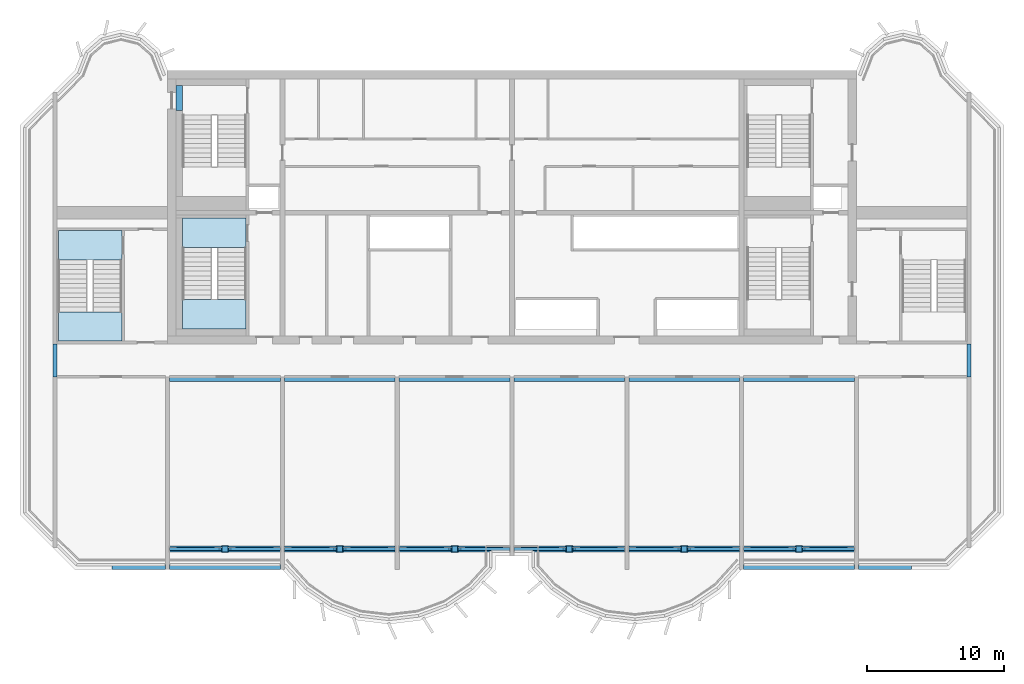
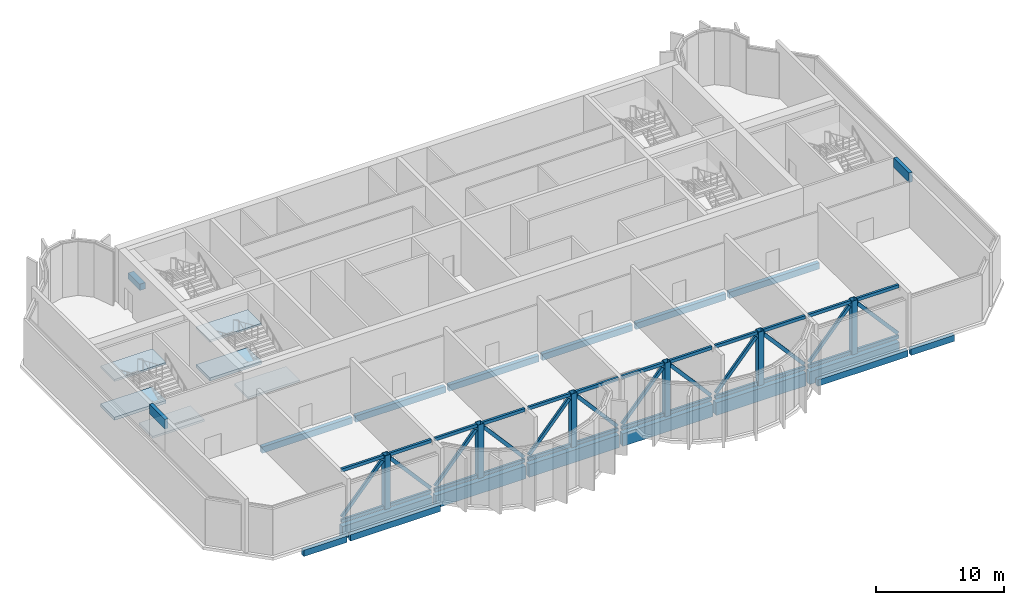
# One storey, part 1 of 11: 42 members, 19 beams, 6 slabs, 2 elements without a shape of their own.
"""IFC4 building model written with IfcOpenShell, lengths in metres."""

from ifc_helpers import new_model, si_unit, direction, frame, origin, origin_2d, place, context, subcontext, project, spatial, polyline, rectangle, hollow_rectangle, outline, extrude, source, transform, mapped, material, layer, layer_set, material_profile, profile_set, type_object, element, aggregate, save


model = new_model("IFC4")

# Units and contexts
model_context = context("Model", 3, precision=1e-05, world=origin(), true_north=direction((0.0, 1.0)))
body_context = subcontext(model_context, "Body", "Model", "MODEL_VIEW")
ifc_project = project(units=[si_unit("LENGTHUNIT", "METRE"), si_unit("AREAUNIT", "SQUARE_METRE"), si_unit("VOLUMEUNIT", "CUBIC_METRE"), si_unit("PLANEANGLEUNIT", "RADIAN"), si_unit("MASSUNIT", "GRAM", prefix="KILO")], contexts=[model_context])

# Site, building, storey
site_placement = place(None, origin())
site = spatial("IfcSite", under=ifc_project, at=site_placement, CompositionType="ELEMENT")
building_placement = place(site_placement, origin())
building = spatial("IfcBuilding", under=site, at=building_placement, Name="Vanashikhar Sky Hotel", CompositionType="ELEMENT")
storey_placement = place(building_placement, frame((0.0, 0.0, 264.699951171875)))
storey = spatial("IfcBuildingStorey", under=building, at=storey_placement, Name="L64", CompositionType="ELEMENT", Elevation=264.699951171875)

# Beams
ifc_material_1 = material(Name="Concrete M50", Category="concrete")
ifc_material_profile_1 = material_profile(ifc_material_1, rectangle(XDim=0.300048828125, YDim=0.89990234375, at=origin_2d()))
ifc_profile_set_1 = profile_set([ifc_material_profile_1], Name="RC 300x900 beam Concrete M50")
beam_type_1 = type_object("IfcBeamType", Name="RC 300x900 beam Concrete M50", PredefinedType="LINTEL", material=ifc_profile_set_1)
shared_shape_1 = source(origin(), body_context, "Body", "SweptSolid", [
    extrude(rectangle(XDim=0.300048828125, YDim=0.89990234375, at=origin_2d()), origin(), (0.0, 0.0, 1.0), 2.39990234375),
])
for number, where, z_axis, x_axis, name in (
    (1, (16.949951171875, 19.60009765625, 4.670166015625), (0.0, 1.0, 0.0), (-1.0, 0.0, 0.0), "LB-L64-XW03"),
    (2, (83.85009765625, 19.60009765625, 4.670166015625), (0.0, 1.0, 0.0), (-1.0, 0.0, 0.0), "LB-L64-XW11"),
):
    element("IfcBeam", number, at=place(storey_placement, frame(where, z_axis=z_axis, x_axis=x_axis)), inside=storey, type_object=beam_type_1, Name=name, PredefinedType="LINTEL", context=body_context, shape_type="MappedRepresentation", body=[
        mapped(shared_shape_1, transform((0.0, 0.0, 0.0), scale=1.0)),
    ])
ifc_material_profile_2 = material_profile(ifc_material_1, rectangle(XDim=0.449951171875, YDim=1.199951171875, at=origin_2d()))
ifc_profile_set_2 = profile_set([ifc_material_profile_2], Name="RC 450x1200 beam Concrete M50")
beam_type_2 = type_object("IfcBeamType", Name="RC 450x1200 beam Concrete M50", PredefinedType="BEAM", material=ifc_profile_set_2)
shared_shape_2 = source(origin(), body_context, "Body", "SweptSolid", [
    extrude(rectangle(XDim=0.449951171875, YDim=1.199951171875, at=origin_2d()), origin(), (0.0, 0.0, 1.0), 8.10009765625),
])
for number, where, z_axis, x_axis, name in (
    (3, (33.75, 7.0, -0.8798828125), (1.0, 0.0, 0.0), (0.0, 1.0, 0.0), "TG-L64-F02"),
    (4, (42.14990234375, 7.0, -0.8798828125), (1.0, 0.0, 0.0), (0.0, 1.0, 0.0), "TG-L64-F03"),
    (5, (58.949951171875, 7.0, -0.8798828125), (1.0, 0.0, 0.0), (0.0, 1.0, 0.0), "TG-L64-F05"),
):
    element("IfcBeam", number, at=place(storey_placement, frame(where, z_axis=z_axis, x_axis=x_axis)), inside=storey, type_object=beam_type_2, Name=name, PredefinedType="BEAM", context=body_context, shape_type="MappedRepresentation", body=[
        mapped(shared_shape_2, transform((0.0, 0.0, 0.0), scale=1.0)),
    ])

# Members
ifc_material_2 = material(Name="Steel S355", Category="steel")
ifc_material_profile_3 = material_profile(ifc_material_2, hollow_rectangle(XDim=0.5, YDim=0.5, WallThickness=0.02490234375, at=origin_2d()))
ifc_profile_set_3 = profile_set([ifc_material_profile_3], Name="RHS 500x500x25 Steel S355")
member_type_1 = type_object("IfcMemberType", Name="RHS 500x500x25 Steel S355", PredefinedType="POST", material=ifc_profile_set_3)
shared_shape_3 = source(origin(), body_context, "Body", "SweptSolid", [
    extrude(hollow_rectangle(XDim=0.5, YDim=0.5, WallThickness=0.02490234375, at=origin_2d()), origin(), (0.0, 0.0, 1.0), 5.1201171875),
])
for number, where, z_axis, x_axis, name in (
    (6, (29.39990234375, 7.0, 0.0), (0.0, 0.0, 1.0), (1.0, 0.0, 0.0), "BP-L64-F01"),
    (7, (37.800048828125, 7.0, 0.0), (0.0, 0.0, 1.0), (1.0, 0.0, 0.0), "BP-L64-F02"),
    (8, (46.199951171875, 7.0, 0.0), (0.0, 0.0, 1.0), (1.0, 0.0, 0.0), "BP-L64-F03"),
    (9, (54.60009765625, 7.0, 0.0), (0.0, 0.0, 1.0), (1.0, 0.0, 0.0), "BP-L64-F04"),
    (10, (63.0, 7.0, 0.0), (0.0, 0.0, 1.0), (1.0, 0.0, 0.0), "BP-L64-F05"),
    (11, (71.39990234375, 7.0, 0.0), (0.0, 0.0, 1.0), (1.0, 0.0, 0.0), "BP-L64-F06"),
):
    element("IfcMember", number, at=place(storey_placement, frame(where, z_axis=z_axis, x_axis=x_axis)), inside=storey, type_object=member_type_1, Name=name, PredefinedType="POST", context=body_context, shape_type="MappedRepresentation", body=[
        mapped(shared_shape_3, transform((0.0, 0.0, 0.0), scale=1.0)),
    ])
ifc_material_profile_4 = material_profile(ifc_material_2, hollow_rectangle(XDim=0.199951171875, YDim=0.300048828125, WallThickness=0.011962890625, at=origin_2d()))
ifc_profile_set_4 = profile_set([ifc_material_profile_4], Name="RHS 300x200x12 Steel S355")
member_type_2 = type_object("IfcMemberType", Name="RHS 300x200x12 Steel S355", PredefinedType="BRACE", material=ifc_profile_set_4)
shared_shape_4 = source(origin(), body_context, "Body", "SweptSolid", [
    extrude(hollow_rectangle(XDim=0.199951171875, YDim=0.300048828125, WallThickness=0.011962890625, at=origin_2d()), origin(), (0.0, 0.0, 1.0), 3.800048828125),
])
for number, where, z_axis, x_axis, name in (
    (12, (29.64990234375, 7.0, 0.150146484375), (1.0, 0.0, 0.0), (0.0, 1.0, 0.0), "BC-L64-F01BR"),
    (13, (29.64990234375, 7.0, 4.969970703125), (1.0, 0.0, 0.0), (0.0, 1.0, 0.0), "BC-L64-F01TR"),
    (14, (33.75, 7.0, 0.150146484375), (1.0, 0.0, 0.0), (0.0, 1.0, 0.0), "BC-L64-F02BL"),
    (15, (38.050048828125, 7.0, 0.150146484375), (1.0, 0.0, 0.0), (0.0, 1.0, 0.0), "BC-L64-F02BR"),
    (16, (33.75, 7.0, 4.969970703125), (1.0, 0.0, 0.0), (0.0, 1.0, 0.0), "BC-L64-F02TL"),
    (17, (38.050048828125, 7.0, 4.969970703125), (1.0, 0.0, 0.0), (0.0, 1.0, 0.0), "BC-L64-F02TR"),
    (18, (42.14990234375, 7.0, 0.150146484375), (1.0, 0.0, 0.0), (0.0, 1.0, 0.0), "BC-L64-F03BL"),
    (19, (46.449951171875, 7.0, 0.150146484375), (1.0, 0.0, 0.0), (0.0, 1.0, 0.0), "BC-L64-F03BR"),
    (20, (42.14990234375, 7.0, 4.969970703125), (1.0, 0.0, 0.0), (0.0, 1.0, 0.0), "BC-L64-F03TL"),
    (21, (46.449951171875, 7.0, 4.969970703125), (1.0, 0.0, 0.0), (0.0, 1.0, 0.0), "BC-L64-F03TR"),
    (22, (50.550048828125, 7.0, 0.150146484375), (1.0, 0.0, 0.0), (0.0, 1.0, 0.0), "BC-L64-F04BL"),
    (23, (50.550048828125, 7.0, 4.969970703125), (1.0, 0.0, 0.0), (0.0, 1.0, 0.0), "BC-L64-F04TL"),
    (24, (58.949951171875, 7.0, 0.150146484375), (1.0, 0.0, 0.0), (0.0, 1.0, 0.0), "BC-L64-F05BL"),
    (25, (63.25, 7.0, 0.150146484375), (1.0, 0.0, 0.0), (0.0, 1.0, 0.0), "BC-L64-F05BR"),
    (26, (58.949951171875, 7.0, 4.969970703125), (1.0, 0.0, 0.0), (0.0, 1.0, 0.0), "BC-L64-F05TL"),
    (27, (63.25, 7.0, 4.969970703125), (1.0, 0.0, 0.0), (0.0, 1.0, 0.0), "BC-L64-F05TR"),
    (28, (71.64990234375, 7.0, 0.150146484375), (1.0, 0.0, 0.0), (0.0, 1.0, 0.0), "BC-L64-F06BR"),
    (29, (71.64990234375, 7.0, 4.969970703125), (1.0, 0.0, 0.0), (0.0, 1.0, 0.0), "BC-L64-F06TR"),
):
    element("IfcMember", number, at=place(storey_placement, frame(where, z_axis=z_axis, x_axis=x_axis)), inside=storey, type_object=member_type_2, Name=name, PredefinedType="CHORD", context=body_context, shape_type="MappedRepresentation", body=[
        mapped(shared_shape_4, transform((0.0, 0.0, 0.0), scale=1.0)),
    ])
shared_shape_5 = source(origin(), body_context, "Body", "SweptSolid", [
    extrude(hollow_rectangle(XDim=0.199951171875, YDim=0.300048828125, WallThickness=0.011962890625, at=origin_2d()), origin(), (0.0, 0.0, 1.0), 5.484375),
])
for number, where, z_axis, x_axis, name in (
    (30, (33.840087890625, 7.0, 0.5), (0.660028594275, 0.0, 0.751240477304), (0.0, 1.0, 0.0), "BD-L64-F02L"),
    (31, (50.159912109375, 7.0, 0.5), (-0.660028594275, 0.0, 0.751240477304), (0.0, -1.0, 0.0), "BD-L64-F03R"),
    (32, (59.0400390625, 7.0, 0.5), (0.660028594275, 0.0, 0.751240477304), (0.0, 1.0, 0.0), "BD-L64-F05L"),
    (33, (66.9599609375, 7.0, 0.5), (-0.660028594275, 0.0, 0.751240477304), (0.0, -1.0, 0.0), "BD-L64-F05R"),
):
    element("IfcMember", number, at=place(storey_placement, frame(where, z_axis=z_axis, x_axis=x_axis)), inside=storey, type_object=member_type_2, Name=name, PredefinedType="BRACE", context=body_context, shape_type="MappedRepresentation", body=[
        mapped(shared_shape_5, transform((0.0, 0.0, 0.0), scale=1.0)),
    ])

# Beams
shared_shape_6 = source(origin(), body_context, "Body", "SweptSolid", [
    extrude(rectangle(XDim=0.449951171875, YDim=1.199951171875, at=origin_2d()), origin(), (0.0, 0.0, 1.0), 8.099853515625),
])
for number, where, z_axis, x_axis, name in (
    (34, (25.35009765625, 7.0, -0.8798828125), (1.0, 0.0, 0.0), (0.0, 1.0, 0.0), "TG-L64-F01"),
    (35, (50.550048828125, 7.0, -0.8798828125), (1.0, 0.0, 0.0), (0.0, 1.0, 0.0), "TG-L64-F04"),
    (36, (67.35009765625, 7.0, -0.8798828125), (1.0, 0.0, 0.0), (0.0, 1.0, 0.0), "TG-L64-F06"),
):
    element("IfcBeam", number, at=place(storey_placement, frame(where, z_axis=z_axis, x_axis=x_axis)), inside=storey, type_object=beam_type_2, Name=name, PredefinedType="BEAM", context=body_context, shape_type="MappedRepresentation", body=[
        mapped(shared_shape_6, transform((0.0, 0.0, 0.0), scale=1.0)),
    ])

# Members
shared_shape_7 = source(origin(), body_context, "Body", "SweptSolid", [
    extrude(hollow_rectangle(XDim=0.199951171875, YDim=0.300048828125, WallThickness=0.011962890625, at=origin_2d()), origin(), (0.0, 0.0, 1.0), 3.7998046875),
])
for number, where, z_axis, x_axis, name in (
    (37, (25.35009765625, 7.0, 0.150146484375), (1.0, 0.0, 0.0), (0.0, 1.0, 0.0), "BC-L64-F01BL"),
    (38, (25.35009765625, 7.0, 4.969970703125), (1.0, 0.0, 0.0), (0.0, 1.0, 0.0), "BC-L64-F01TL"),
    (39, (54.85009765625, 7.0, 0.150146484375), (1.0, 0.0, 0.0), (0.0, 1.0, 0.0), "BC-L64-F04BR"),
    (40, (54.85009765625, 7.0, 4.969970703125), (1.0, 0.0, 0.0), (0.0, 1.0, 0.0), "BC-L64-F04TR"),
    (41, (67.35009765625, 7.0, 0.150146484375), (1.0, 0.0, 0.0), (0.0, 1.0, 0.0), "BC-L64-F06BL"),
    (42, (67.35009765625, 7.0, 4.969970703125), (1.0, 0.0, 0.0), (0.0, 1.0, 0.0), "BC-L64-F06TL"),
):
    element("IfcMember", number, at=place(storey_placement, frame(where, z_axis=z_axis, x_axis=x_axis)), inside=storey, type_object=member_type_2, Name=name, PredefinedType="CHORD", context=body_context, shape_type="MappedRepresentation", body=[
        mapped(shared_shape_7, transform((0.0, 0.0, 0.0), scale=1.0)),
    ])
shared_shape_8 = source(origin(), body_context, "Body", "SweptSolid", [
    extrude(hollow_rectangle(XDim=0.199951171875, YDim=0.300048828125, WallThickness=0.011962890625, at=origin_2d()), origin(), (0.0, 0.0, 1.0), 5.484619140625),
])
for number, where, z_axis, x_axis, name in (
    (43, (25.43994140625, 7.0, 0.5), (0.660053715932, 0.0, 0.751218405049), (0.0, 1.0, 0.0), "BD-L64-F01L"),
    (44, (33.360107421875, 7.0, 0.5), (-0.660053715932, 0.0, 0.751218405049), (0.0, -1.0, 0.0), "BD-L64-F01R"),
    (45, (41.760009765625, 7.0, 0.5), (-0.660053715932, 0.0, 0.751218405049), (0.0, -1.0, 0.0), "BD-L64-F02R"),
    (46, (42.239990234375, 7.0, 0.5), (0.660053715932, 0.0, 0.751218405049), (0.0, 1.0, 0.0), "BD-L64-F03L"),
    (47, (50.639892578125, 7.0, 0.5), (0.660053715932, 0.0, 0.751218405049), (0.0, 1.0, 0.0), "BD-L64-F04L"),
    (48, (58.56005859375, 7.0, 0.5), (-0.660053715932, 0.0, 0.751218405049), (0.0, -1.0, 0.0), "BD-L64-F04R"),
    (49, (67.43994140625, 7.0, 0.5), (0.660053715932, 0.0, 0.751218405049), (0.0, 1.0, 0.0), "BD-L64-F06L"),
    (50, (75.360107421875, 7.0, 0.5), (-0.660053715932, 0.0, 0.751218405049), (0.0, -1.0, 0.0), "BD-L64-F06R"),
):
    element("IfcMember", number, at=place(storey_placement, frame(where, z_axis=z_axis, x_axis=x_axis)), inside=storey, type_object=member_type_2, Name=name, PredefinedType="BRACE", context=body_context, shape_type="MappedRepresentation", body=[
        mapped(shared_shape_8, transform((0.0, 0.0, 0.0), scale=1.0)),
    ])

# Beams
ifc_material_profile_5 = material_profile(ifc_material_1, rectangle(XDim=0.35009765625, YDim=0.60009765625, at=origin_2d()))
ifc_profile_set_5 = profile_set([ifc_material_profile_5], Name="RC 350x600 beam Concrete M50")
beam_type_3 = type_object("IfcBeamType", Name="RC 350x600 beam Concrete M50", PredefinedType="SPANDREL", material=ifc_profile_set_5)
shared_shape_9 = source(origin(), body_context, "Body", "SweptSolid", [
    extrude(rectangle(XDim=0.35009765625, YDim=0.60009765625, at=origin_2d()), origin(), (0.0, 0.0, 1.0), 8.099853515625),
])
for number, where, z_axis, x_axis, name in (
    (51, (25.35009765625, 5.675048828125, -0.579833984375), (1.0, 0.0, 0.0), (0.0, 1.0, 0.0), "EB-L64-F01"),
    (52, (67.35009765625, 5.675048828125, -0.579833984375), (1.0, 0.0, 0.0), (0.0, 1.0, 0.0), "EB-L64-F03"),
    (53, (25.35009765625, 19.425048828125, -0.579833984375), (1.0, 0.0, 0.0), (0.0, 1.0, 0.0), "CB-L64-01"),
    (54, (50.550048828125, 19.425048828125, -0.579833984375), (1.0, 0.0, 0.0), (0.0, 1.0, 0.0), "CB-L64-04"),
    (55, (67.35009765625, 19.425048828125, -0.579833984375), (1.0, 0.0, 0.0), (0.0, 1.0, 0.0), "CB-L64-06"),
):
    element("IfcBeam", number, at=place(storey_placement, frame(where, z_axis=z_axis, x_axis=x_axis)), inside=storey, type_object=beam_type_3, Name=name, PredefinedType="SPANDREL", context=body_context, shape_type="MappedRepresentation", body=[
        mapped(shared_shape_9, transform((0.0, 0.0, 0.0), scale=1.0)),
    ])
ifc_material_profile_6 = material_profile(ifc_material_1, rectangle(XDim=0.35009765625, YDim=0.60009765625, at=origin_2d()))
ifc_profile_set_6 = profile_set([ifc_material_profile_6], Name="RC 350x600 cantilever beam Concrete M50")
beam_type_4 = type_object("IfcBeamType", Name="RC 350x600 cantilever beam Concrete M50", PredefinedType="SPANDREL", material=ifc_profile_set_6)
shared_shape_10 = source(origin(), body_context, "Body", "SweptSolid", [
    extrude(rectangle(XDim=0.35009765625, YDim=0.60009765625, at=origin_2d()), origin(), (0.0, 0.0, 1.0), 3.900146484375),
])
beam_1_placement = place(storey_placement, frame((21.14990234375, 5.675048828125, -0.579833984375), z_axis=(1.0, 0.0, 0.0), x_axis=(0.0, 1.0, 0.0)))
element("IfcBeam", 56, at=beam_1_placement, inside=storey, type_object=beam_type_4, Name="EB-L64-F02", PredefinedType="SPANDREL", context=body_context, shape_type="MappedRepresentation", body=[
    mapped(shared_shape_10, transform((0.0, 0.0, 0.0), scale=1.0)),
])
shared_shape_11 = source(origin(), body_context, "Body", "SweptSolid", [
    extrude(rectangle(XDim=0.35009765625, YDim=0.60009765625, at=origin_2d()), origin(), (0.0, 0.0, 1.0), 3.89990234375),
])
beam_2_placement = place(storey_placement, frame((75.75, 5.675048828125, -0.579833984375), z_axis=(1.0, 0.0, 0.0), x_axis=(0.0, 1.0, 0.0)))
element("IfcBeam", 57, at=beam_2_placement, inside=storey, type_object=beam_type_4, Name="EB-L64-F04", PredefinedType="SPANDREL", context=body_context, shape_type="MappedRepresentation", body=[
    mapped(shared_shape_11, transform((0.0, 0.0, 0.0), scale=1.0)),
])
shared_shape_12 = source(origin(), body_context, "Body", "SweptSolid", [
    extrude(rectangle(XDim=0.35009765625, YDim=0.60009765625, at=origin_2d()), origin(), (0.0, 0.0, 1.0), 8.10009765625),
])
for number, where, z_axis, x_axis, name in (
    (58, (33.75, 19.425048828125, -0.579833984375), (1.0, 0.0, 0.0), (0.0, 1.0, 0.0), "CB-L64-02"),
    (59, (42.14990234375, 19.425048828125, -0.579833984375), (1.0, 0.0, 0.0), (0.0, 1.0, 0.0), "CB-L64-03"),
    (60, (58.949951171875, 19.425048828125, -0.579833984375), (1.0, 0.0, 0.0), (0.0, 1.0, 0.0), "CB-L64-05"),
):
    element("IfcBeam", number, at=place(storey_placement, frame(where, z_axis=z_axis, x_axis=x_axis)), inside=storey, type_object=beam_type_3, Name=name, PredefinedType="SPANDREL", context=body_context, shape_type="MappedRepresentation", body=[
        mapped(shared_shape_12, transform((0.0, 0.0, 0.0), scale=1.0)),
    ])
ifc_material_profile_7 = material_profile(ifc_material_1, rectangle(XDim=0.5, YDim=0.60009765625, at=origin_2d()))
ifc_profile_set_7 = profile_set([ifc_material_profile_7], Name="Lintel RC 500x600 Concrete M50")
beam_type_5 = type_object("IfcBeamType", Name="Lintel RC 500x600 Concrete M50", PredefinedType="LINTEL", material=ifc_profile_set_7)
shared_shape_13 = source(origin(), body_context, "Body", "SweptSolid", [
    extrude(rectangle(XDim=0.5, YDim=0.60009765625, at=origin_2d()), origin(), (0.0, 0.0, 1.0), 1.7998046875),
])
beam_3_placement = place(storey_placement, frame((26.050048828125, 39.10009765625, 2.699951171875), z_axis=(0.0, 1.0, 0.0), x_axis=(-1.0, 0.0, 0.0)))
element("IfcBeam", 61, at=beam_3_placement, inside=storey, type_object=beam_type_5, Name="Stair door lintel", PredefinedType="LINTEL", context=body_context, shape_type="MappedRepresentation", body=[
    mapped(shared_shape_13, transform((0.0, 0.0, 0.0), scale=1.0)),
])

# Stair, slabs
ifc_material_3 = material(Name="Concrete M40", Category="concrete")
stair_type = type_object("IfcStairType", Name="Exit stair 2150", PredefinedType="DOUBLE_RETURN_STAIR", material=ifc_material_3)
stair_1_placement = place(storey_placement, origin())
stair_1 = element("IfcStair", 62, at=stair_1_placement, inside=storey, type_object=stair_type, Name="L64 Exit stair 1", PredefinedType="DOUBLE_RETURN_STAIR")
ifc_layer_1 = layer(ifc_material_3, 0.199951171875)
ifc_layer_set_1 = layer_set([ifc_layer_1], Name="Stair landing 200")
slab_type_1 = type_object("IfcSlabType", Name="Stair landing 200", PredefinedType="LANDING", material=ifc_layer_set_1)
shared_shape_14 = source(origin(), body_context, "Body", "SweptSolid", [
    extrude(outline(polyline([(30.949951171875, 29.050048828125), (30.949951171875, 31.199951171875), (26.300048828125, 31.199951171875), (26.300048828125, 29.050048828125), (30.949951171875, 29.050048828125)])), origin(), (0.0, 0.0, 1.0), 0.199951171875),
])
slab_1_placement = place(storey_placement, frame((0.0, 0.0, 3.400146484375)))
slab_1 = element("IfcSlab", 63, at=slab_1_placement, type_object=slab_type_1, Name="ST-C1 landing 2", PredefinedType="LANDING", context=body_context, shape_type="MappedRepresentation", body=[
    mapped(shared_shape_14, transform((0.0, 0.0, 0.0), scale=1.0)),
])
shared_shape_15 = source(origin(), body_context, "Body", "SweptSolid", [
    extrude(outline(polyline([(30.949951171875, 23.10009765625), (30.949951171875, 25.25), (26.300048828125, 25.25), (26.300048828125, 23.10009765625), (30.949951171875, 23.10009765625)])), origin(), (0.0, 0.0, 1.0), 0.199951171875),
])
slab_2_placement = place(storey_placement, frame((0.0, 0.0, 1.60009765625)))
slab_2 = element("IfcSlab", 64, at=slab_2_placement, type_object=slab_type_1, Name="ST-C1 landing 1", PredefinedType="LANDING", context=body_context, shape_type="MappedRepresentation", body=[
    mapped(shared_shape_15, transform((0.0, 0.0, 0.0), scale=1.0)),
])
aggregate(stair_1, [slab_2, slab_1])

# Slab
ifc_layer_2 = layer(ifc_material_3, 0.280029296875)
ifc_layer_set_2 = layer_set([ifc_layer_2], Name="Stair floor landing 280")
slab_type_2 = type_object("IfcSlabType", Name="Stair floor landing 280", PredefinedType="LANDING", material=ifc_layer_set_2)
shared_shape_16 = source(origin(), body_context, "Body", "SweptSolid", [
    extrude(outline(polyline([(30.949951171875, 29.050048828125), (30.949951171875, 31.199951171875), (26.300048828125, 31.199951171875), (26.300048828125, 29.050048828125), (30.949951171875, 29.050048828125)])), origin(), (0.0, 0.0, 1.0), 0.280029296875),
])
slab_3_placement = place(storey_placement, frame((0.0, 0.0, -0.280029296875)))
element("IfcSlab", 65, at=slab_3_placement, inside=storey, type_object=slab_type_2, Name="Exit stair 1 floor landing", PredefinedType="LANDING", context=body_context, shape_type="MappedRepresentation", body=[
    mapped(shared_shape_16, transform((0.0, 0.0, 0.0), scale=1.0)),
])

# Stair, slabs
stair_2_placement = place(storey_placement, origin())
stair_2 = element("IfcStair", 66, at=stair_2_placement, inside=storey, type_object=stair_type, Name="L64 Exit stair 3", PredefinedType="DOUBLE_RETURN_STAIR")
shared_shape_17 = source(origin(), body_context, "Body", "SweptSolid", [
    extrude(outline(polyline([(21.85009765625, 28.14990234375), (21.85009765625, 30.300048828125), (17.199951171875, 30.300048828125), (17.199951171875, 28.14990234375), (21.85009765625, 28.14990234375)])), origin(), (0.0, 0.0, 1.0), 0.199951171875),
])
slab_4_placement = place(storey_placement, frame((0.0, 0.0, 3.400146484375)))
slab_4 = element("IfcSlab", 67, at=slab_4_placement, type_object=slab_type_1, Name="ST-W landing 2", PredefinedType="LANDING", context=body_context, shape_type="MappedRepresentation", body=[
    mapped(shared_shape_17, transform((0.0, 0.0, 0.0), scale=1.0)),
])
shared_shape_18 = source(origin(), body_context, "Body", "SweptSolid", [
    extrude(outline(polyline([(21.85009765625, 22.199951171875), (21.85009765625, 24.35009765625), (17.199951171875, 24.35009765625), (17.199951171875, 22.199951171875), (21.85009765625, 22.199951171875)])), origin(), (0.0, 0.0, 1.0), 0.199951171875),
])
slab_5_placement = place(storey_placement, frame((0.0, 0.0, 1.60009765625)))
slab_5 = element("IfcSlab", 68, at=slab_5_placement, type_object=slab_type_1, Name="ST-W landing 1", PredefinedType="LANDING", context=body_context, shape_type="MappedRepresentation", body=[
    mapped(shared_shape_18, transform((0.0, 0.0, 0.0), scale=1.0)),
])
aggregate(stair_2, [slab_5, slab_4])

# Slab
shared_shape_19 = source(origin(), body_context, "Body", "SweptSolid", [
    extrude(outline(polyline([(21.85009765625, 28.14990234375), (21.85009765625, 30.300048828125), (17.199951171875, 30.300048828125), (17.199951171875, 28.14990234375), (21.85009765625, 28.14990234375)])), origin(), (0.0, 0.0, 1.0), 0.280029296875),
])
slab_6_placement = place(storey_placement, frame((0.0, 0.0, -0.280029296875)))
element("IfcSlab", 69, at=slab_6_placement, inside=storey, type_object=slab_type_2, Name="Exit stair 3 floor landing", PredefinedType="LANDING", context=body_context, shape_type="MappedRepresentation", body=[
    mapped(shared_shape_19, transform((0.0, 0.0, 0.0), scale=1.0)),
])

save(model, "model.ifc")
